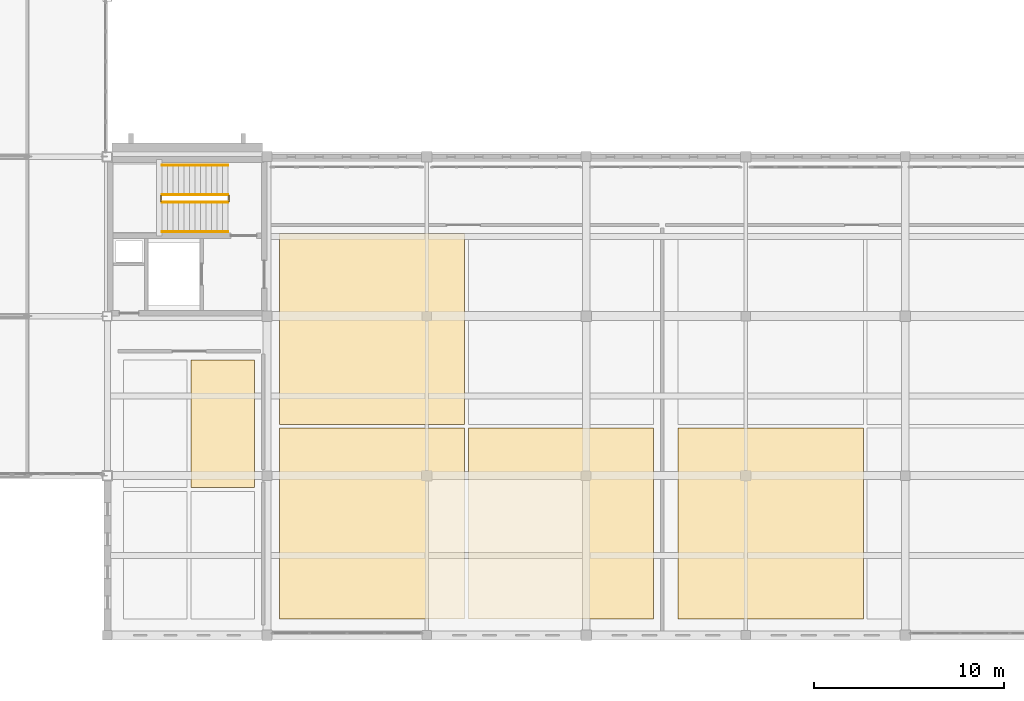
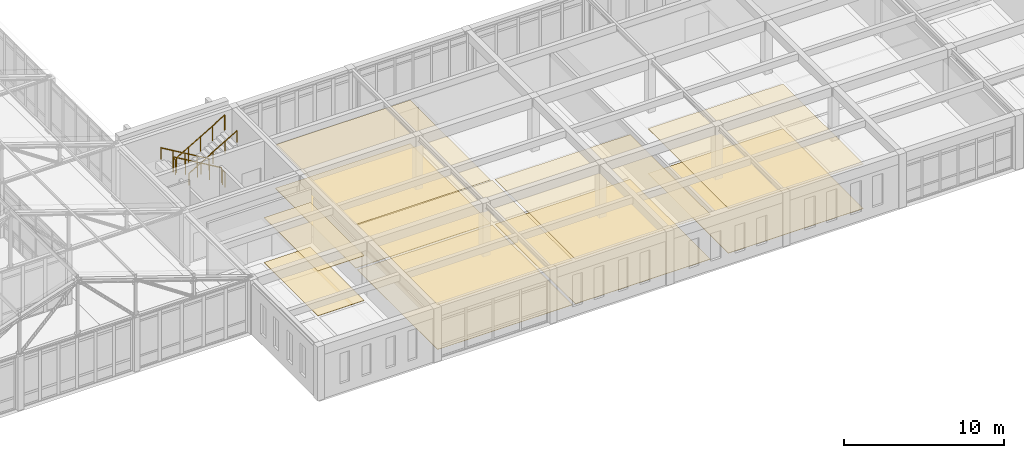
# One storey, part 183 of 192: 10 coverings, 6 railings.
"""IFC4 building model written with IfcOpenShell, lengths in metres."""

from ifc_helpers import new_model, si_unit, direction, frame, origin, origin_2d, place, context, subcontext, project, spatial, rectangle, circle, extrude, material, layer, layer_set, type_object, element, save


model = new_model("IFC4")

# Units and contexts
model_context = context("Model", 3, precision=1e-05, world=origin(), true_north=direction((0.0, 1.0)))
body_context = subcontext(model_context, "Body", "Model", "MODEL_VIEW")
ifc_project = project(units=[si_unit("LENGTHUNIT", "METRE"), si_unit("AREAUNIT", "SQUARE_METRE"), si_unit("VOLUMEUNIT", "CUBIC_METRE"), si_unit("PLANEANGLEUNIT", "RADIAN"), si_unit("MASSUNIT", "GRAM", prefix="KILO")], contexts=[model_context])

# Site, building, storey
site_placement = place(None, origin())
site = spatial("IfcSite", under=ifc_project, at=site_placement, CompositionType="ELEMENT")
building_placement = place(site_placement, origin())
building = spatial("IfcBuilding", under=site, at=building_placement, Name="Kveldsbrygga Polytechnic", CompositionType="ELEMENT")
storey_placement = place(building_placement, frame((0.0, 0.0, 5.43994140625)))
storey = spatial("IfcBuildingStorey", under=building, at=storey_placement, Name="L01", CompositionType="ELEMENT", Elevation=5.43994140625)

# Coverings
ifc_material_1 = material(Name="Acoustic mineral baffle ceiling")
ifc_layer_1 = layer(ifc_material_1, 0.030029296875)
ifc_layer_set_1 = layer_set([ifc_layer_1], Name="Acoustic mineral baffle ceiling")
covering_type_1 = type_object("IfcCoveringType", Name="COV-CEIL-AC30", PredefinedType="CEILING", material=ifc_layer_set_1)
covering_1_placement = place(storey_placement, frame((81.675048828125, 11.137451171875, 3.41015625), z_axis=(0.0, 0.0, 1.0), x_axis=(1.0, 0.0, 0.0)))
element("IfcCovering", 1, at=covering_1_placement, inside=storey, type_object=covering_type_1, Name="Acoustic Ceiling SP-L01-UNION1W-EN", PredefinedType="CEILING", context=body_context, shape_type="SweptSolid", body=[
    extrude(rectangle(XDim=3.35009765625, YDim=6.72509765625, at=origin_2d()), origin(), (0.0, 0.0, 1.0), 0.030029296875),
])
for number, where, z_axis, x_axis, name in (
    (2, (89.52490234375, 5.875, 3.41015625), (0.0, 0.0, 1.0), (1.0, 0.0, 0.0), "Acoustic Ceiling SP-L01-UNION1-WS"),
    (3, (89.52490234375, 16.125, 3.31005859375), (0.0, 0.0, 1.0), (1.0, 0.0, 0.0), "Acoustic Ceiling SP-L01-UNION1-WN"),
    (4, (99.47509765625, 5.875, 3.41015625), (0.0, 0.0, 1.0), (1.0, 0.0, 0.0), "Acoustic Ceiling SP-L01-UNION1-ES"),
):
    element("IfcCovering", number, at=place(storey_placement, frame(where, z_axis=z_axis, x_axis=x_axis)), inside=storey, type_object=covering_type_1, Name=name, PredefinedType="CEILING", context=body_context, shape_type="SweptSolid", body=[
        extrude(rectangle(XDim=9.75, YDim=10.050048828125, at=origin_2d()), origin(), (0.0, 0.0, 1.0), 0.030029296875),
    ])
ifc_material_2 = material(Name="Acoustic oak timber slat ceiling", Category="wood")
ifc_layer_2 = layer(ifc_material_2, 0.0400390625)
ifc_layer_set_2 = layer_set([ifc_layer_2], Name="Acoustic oak timber slat ceiling")
covering_type_2 = type_object("IfcCoveringType", Name="COV-CEIL-WD40", PredefinedType="CEILING", material=ifc_layer_set_2)
covering_2_placement = place(storey_placement, frame((110.52490234375, 5.875, 3.400146484375), z_axis=(0.0, 0.0, 1.0), x_axis=(1.0, 0.0, 0.0)))
element("IfcCovering", 5, at=covering_2_placement, inside=storey, type_object=covering_type_2, Name="Acoustic Ceiling SP-L01-UNION2-WS", PredefinedType="CEILING", context=body_context, shape_type="SweptSolid", body=[
    extrude(rectangle(XDim=9.75, YDim=10.050048828125, at=origin_2d()), origin(), (0.0, 0.0, 1.0), 0.0400390625),
])
ifc_material_3 = material(Name="Acoustic oak timber flooring", Category="wood")
ifc_layer_3 = layer(ifc_material_3, 0.02197265625)
ifc_layer_set_3 = layer_set([ifc_layer_3], Name="Acoustic oak timber flooring")
covering_type_3 = type_object("IfcCoveringType", Name="COV-FLR-OAK22", PredefinedType="FLOORING", material=ifc_layer_set_3)
covering_3_placement = place(storey_placement, frame((81.675048828125, 11.137451171875, 0.0), z_axis=(0.0, 0.0, 1.0), x_axis=(1.0, 0.0, 0.0)))
element("IfcCovering", 6, at=covering_3_placement, inside=storey, type_object=covering_type_3, Name="Room Flooring SP-L01-UNION1W-EN", PredefinedType="FLOORING", context=body_context, shape_type="SweptSolid", body=[
    extrude(rectangle(XDim=3.35009765625, YDim=6.72509765625, at=origin_2d()), origin(), (0.0, 0.0, 1.0), 0.02197265625),
])
for number, where, z_axis, x_axis, name in (
    (7, (89.52490234375, 5.875, 0.0), (0.0, 0.0, 1.0), (1.0, 0.0, 0.0), "Room Flooring SP-L01-UNION1-WS"),
    (8, (89.52490234375, 16.125, 0.0), (0.0, 0.0, 1.0), (1.0, 0.0, 0.0), "Room Flooring SP-L01-UNION1-WN"),
    (9, (99.47509765625, 5.875, 0.0), (0.0, 0.0, 1.0), (1.0, 0.0, 0.0), "Room Flooring SP-L01-UNION1-ES"),
    (10, (110.52490234375, 5.875, 0.0), (0.0, 0.0, 1.0), (1.0, 0.0, 0.0), "Room Flooring SP-L01-UNION2-WS"),
):
    element("IfcCovering", number, at=place(storey_placement, frame(where, z_axis=z_axis, x_axis=x_axis)), inside=storey, type_object=covering_type_3, Name=name, PredefinedType="FLOORING", context=body_context, shape_type="SweptSolid", body=[
        extrude(rectangle(XDim=9.75, YDim=10.050048828125, at=origin_2d()), origin(), (0.0, 0.0, 1.0), 0.02197265625),
    ])

# Railings
ifc_material_4 = material(Name="Steel S355", Category="steel")
railing_type_1 = type_object("IfcRailingType", Name="RL-STAIR-GRD", PredefinedType="GUARDRAIL", material=ifc_material_4)
railing_1_placement = place(storey_placement, frame((81.949951171875, 23.199951171875, 0.170166015625)))
element("IfcRailing", 11, at=railing_1_placement, inside=storey, type_object=railing_type_1, Name="L01 ST-6 stair guard 1", PredefinedType="GUARDRAIL", context=body_context, shape_type="SweptSolid", body=[
    extrude(circle(Radius=0.02392578125, at=origin_2d()), frame((0.0, 0.0, 1.1259765625), z_axis=(-0.862718911971, 0.0, 0.505683773644), x_axis=(0.0, -1.0, 0.0)), (0.0, 0.0, 1.0), 4.03369140625),
    extrude(circle(Radius=0.02099609375, at=origin_2d()), origin(), (0.0, 0.0, 1.0), 1.097900390625),
    extrude(circle(Radius=0.02099609375, at=origin_2d()), frame((-0.8701171875, 0.0, 0.510009765625)), (0.0, 0.0, 1.0), 1.097900390625),
    extrude(circle(Radius=0.02099609375, at=origin_2d()), frame((-1.739990234375, 0.0, 1.02001953125)), (0.0, 0.0, 1.0), 1.097900390625),
    extrude(circle(Radius=0.02099609375, at=origin_2d()), frame((-2.60986328125, 0.0, 1.52978515625)), (0.0, 0.0, 1.0), 1.097900390625),
    extrude(circle(Radius=0.02099609375, at=origin_2d()), frame((-3.47998046875, 0.0, 2.039794921875)), (0.0, 0.0, 1.0), 1.097900390625),
])
railing_2_placement = place(storey_placement, frame((78.419921875, 23.14990234375, 2.2099609375)))
element("IfcRailing", 12, at=railing_2_placement, inside=storey, type_object=railing_type_1, Name="L01 ST-6 stair guard 2", PredefinedType="GUARDRAIL", context=body_context, shape_type="SweptSolid", body=[
    extrude(circle(Radius=0.02392578125, at=origin_2d()), frame((0.0, 0.0, 1.1259765625), z_axis=(0.0, -1.0, 0.0), x_axis=(1.0, 0.0, 0.0)), (0.0, 0.0, 1.0), 0.2998046875),
    extrude(circle(Radius=0.02099609375, at=origin_2d()), origin(), (0.0, 0.0, 1.0), 1.097900390625),
    extrude(circle(Radius=0.02099609375, at=origin_2d()), frame((0.0, -0.2998046875, 0.0)), (0.0, 0.0, 1.0), 1.097900390625),
])
railing_3_placement = place(storey_placement, frame((78.469970703125, 22.800048828125, 2.380126953125)))
element("IfcRailing", 13, at=railing_3_placement, inside=storey, type_object=railing_type_1, Name="L01 ST-6 stair guard 3", PredefinedType="GUARDRAIL", context=body_context, shape_type="SweptSolid", body=[
    extrude(circle(Radius=0.02392578125, at=origin_2d()), frame((0.0, 0.0, 1.1259765625), z_axis=(0.862692506924, 0.0, 0.505728819128), x_axis=(0.0, 1.0, 0.0)), (0.0, 0.0, 1.0), 4.033935546875),
    extrude(circle(Radius=0.02099609375, at=origin_2d()), origin(), (0.0, 0.0, 1.0), 1.097900390625),
    extrude(circle(Radius=0.02099609375, at=origin_2d()), frame((0.8701171875, 0.0, 0.510009765625)), (0.0, 0.0, 1.0), 1.097900390625),
    extrude(circle(Radius=0.02099609375, at=origin_2d()), frame((1.739990234375, 0.0, 1.02001953125)), (0.0, 0.0, 1.0), 1.097900390625),
    extrude(circle(Radius=0.02099609375, at=origin_2d()), frame((2.60986328125, 0.0, 1.530029296875)), (0.0, 0.0, 1.0), 1.097900390625),
    extrude(circle(Radius=0.02099609375, at=origin_2d()), frame((3.47998046875, 0.0, 2.0400390625)), (0.0, 0.0, 1.0), 1.097900390625),
])
railing_4_placement = place(storey_placement, frame((82.0, 23.14990234375, 0.0)))
element("IfcRailing", 14, at=railing_4_placement, inside=storey, type_object=railing_type_1, Name="L01 ST-6 stair guard 4", PredefinedType="GUARDRAIL", context=body_context, shape_type="SweptSolid", body=[
    extrude(circle(Radius=0.02392578125, at=origin_2d()), frame((0.0, 0.0, 1.1259765625), z_axis=(0.0, -1.0, 0.0), x_axis=(1.0, 0.0, 0.0)), (0.0, 0.0, 1.0), 0.2998046875),
    extrude(circle(Radius=0.02099609375, at=origin_2d()), origin(), (0.0, 0.0, 1.0), 1.097900390625),
    extrude(circle(Radius=0.02099609375, at=origin_2d()), frame((0.0, -0.2998046875, 0.0)), (0.0, 0.0, 1.0), 1.097900390625),
])
railing_type_2 = type_object("IfcRailingType", Name="RL-STAIR-HND", PredefinedType="HANDRAIL", material=ifc_material_4)
railing_5_placement = place(storey_placement, frame((81.949951171875, 24.75, 0.170166015625)))
element("IfcRailing", 15, at=railing_5_placement, inside=storey, type_object=railing_type_2, Name="L01 ST-6 stair handrail 1", PredefinedType="HANDRAIL", context=body_context, shape_type="SweptSolid", body=[
    extrude(circle(Radius=0.02392578125, at=origin_2d()), frame((0.0, 0.0, 0.8759765625), z_axis=(-0.862718911971, 0.0, 0.505683773644), x_axis=(0.0, -1.0, 0.0)), (0.0, 0.0, 1.0), 4.03369140625),
    extrude(circle(Radius=0.02099609375, at=origin_2d()), origin(), (0.0, 0.0, 1.0), 0.847900390625),
    extrude(circle(Radius=0.02099609375, at=origin_2d()), frame((-0.8701171875, 0.0, 0.510009765625)), (0.0, 0.0, 1.0), 0.847900390625),
    extrude(circle(Radius=0.02099609375, at=origin_2d()), frame((-1.739990234375, 0.0, 1.02001953125)), (0.0, 0.0, 1.0), 0.847900390625),
    extrude(circle(Radius=0.02099609375, at=origin_2d()), frame((-2.60986328125, 0.0, 1.52978515625)), (0.0, 0.0, 1.0), 0.847900390625),
    extrude(circle(Radius=0.02099609375, at=origin_2d()), frame((-3.47998046875, 0.0, 2.039794921875)), (0.0, 0.0, 1.0), 0.847900390625),
])
railing_6_placement = place(storey_placement, frame((78.469970703125, 21.25, 2.380126953125)))
element("IfcRailing", 16, at=railing_6_placement, inside=storey, type_object=railing_type_2, Name="L01 ST-6 stair handrail 2", PredefinedType="HANDRAIL", context=body_context, shape_type="SweptSolid", body=[
    extrude(circle(Radius=0.02392578125, at=origin_2d()), frame((0.0, 0.0, 0.8759765625), z_axis=(0.862692506924, 0.0, 0.505728819128), x_axis=(0.0, 1.0, 0.0)), (0.0, 0.0, 1.0), 4.033935546875),
    extrude(circle(Radius=0.02099609375, at=origin_2d()), origin(), (0.0, 0.0, 1.0), 0.847900390625),
    extrude(circle(Radius=0.02099609375, at=origin_2d()), frame((0.8701171875, 0.0, 0.510009765625)), (0.0, 0.0, 1.0), 0.847900390625),
    extrude(circle(Radius=0.02099609375, at=origin_2d()), frame((1.739990234375, 0.0, 1.02001953125)), (0.0, 0.0, 1.0), 0.847900390625),
    extrude(circle(Radius=0.02099609375, at=origin_2d()), frame((2.60986328125, 0.0, 1.530029296875)), (0.0, 0.0, 1.0), 0.847900390625),
    extrude(circle(Radius=0.02099609375, at=origin_2d()), frame((3.47998046875, 0.0, 2.0400390625)), (0.0, 0.0, 1.0), 0.847900390625),
])

save(model, "model.ifc")
